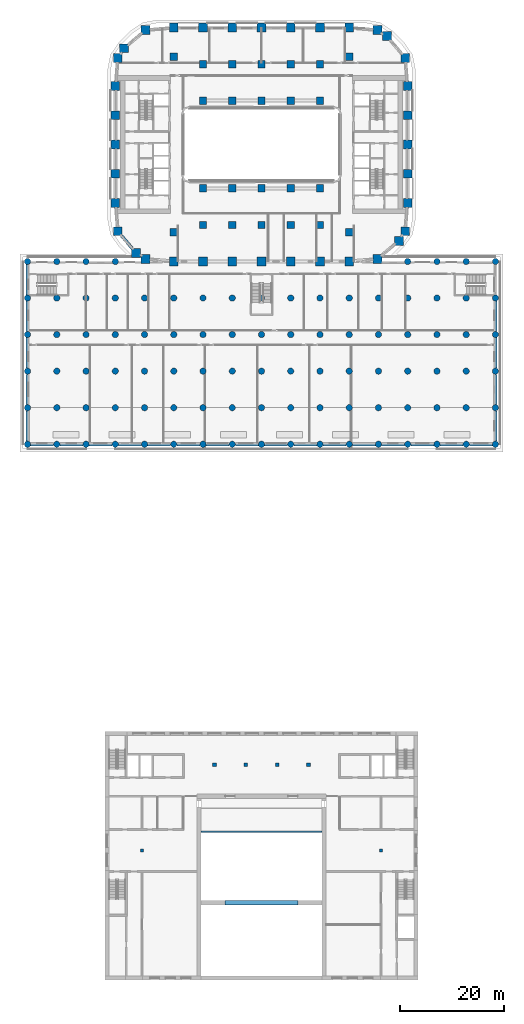
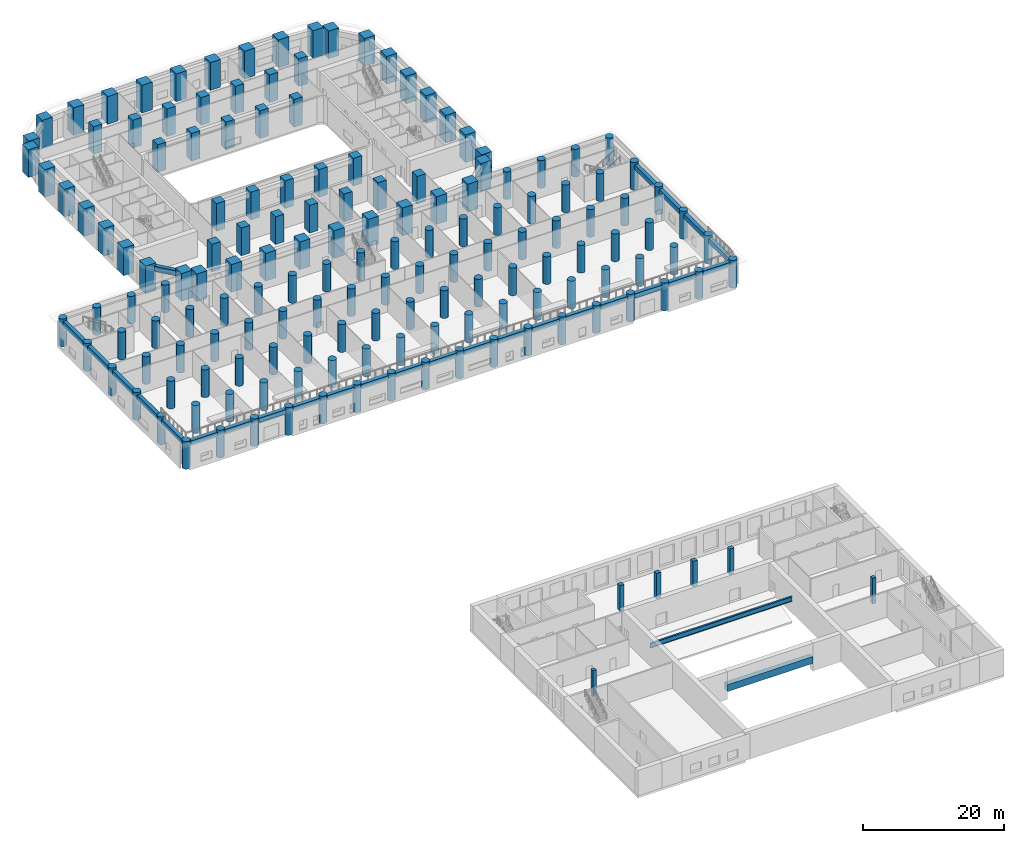
# One storey, part 1 of 27: 159 columns, 28 beams.
"""IFC4 building model written with IfcOpenShell, lengths in metres."""

from ifc_helpers import new_model, si_unit, direction, frame, origin, origin_2d, place, context, subcontext, project, spatial, rectangle, circle, i_section, extrude, material, material_profile, profile_set, type_object, element, save


model = new_model("IFC4")

# Units and contexts
model_context = context("Model", 3, precision=1e-05, world=origin(), true_north=direction((0.0, 1.0)))
body_context = subcontext(model_context, "Body", "Model", "MODEL_VIEW")
ifc_project = project(units=[si_unit("LENGTHUNIT", "METRE"), si_unit("AREAUNIT", "SQUARE_METRE"), si_unit("VOLUMEUNIT", "CUBIC_METRE"), si_unit("PLANEANGLEUNIT", "RADIAN"), si_unit("MASSUNIT", "GRAM", prefix="KILO")], contexts=[model_context])

# Site, building, storey
site_placement = place(None, origin())
site = spatial("IfcSite", under=ifc_project, at=site_placement, CompositionType="ELEMENT")
building_placement = place(site_placement, origin())
building = spatial("IfcBuilding", under=site, at=building_placement, Name="Kiln Ring Residences", CompositionType="ELEMENT")
storey_placement = place(building_placement, frame((0.0, 0.0, 6.5)))
storey = spatial("IfcBuildingStorey", under=building, at=storey_placement, Name="L01", CompositionType="ELEMENT", Elevation=6.5)

# Columns
ifc_material_1 = material(Name="Concrete C80/95", Category="concrete")
ifc_material_profile_1 = material_profile(ifc_material_1, rectangle(XDim=1.39990234375, YDim=1.39990234375, at=origin_2d()), Name="RC1400x1400")
ifc_profile_set_1 = profile_set([ifc_material_profile_1], Name="Concrete C80/95")
column_type_1 = type_object("IfcColumnType", Name="Corridor column RC1400x1400 C80/95", PredefinedType="COLUMN", material=ifc_profile_set_1)
for number, where, z_axis, x_axis, name in (
    (1, (-11.199951171875, 15.39990234375, 0.0), (0.0, 0.0, 1.0), (1.0, 0.0, 0.0), "Corridor column L01 1"),
    (2, (-5.60009765625, 15.39990234375, 0.0), (0.0, 0.0, 1.0), (1.0, 0.0, 0.0), "Corridor column L01 2"),
    (3, (0.0, 15.39990234375, 0.0), (0.0, 0.0, 1.0), (1.0, 0.0, 0.0), "Corridor column L01 3"),
    (4, (5.60009765625, 15.39990234375, 0.0), (0.0, 0.0, 1.0), (1.0, 0.0, 0.0), "Corridor column L01 4"),
    (5, (11.199951171875, 15.39990234375, 0.0), (0.0, 0.0, 1.0), (1.0, 0.0, 0.0), "Corridor column L01 5"),
    (6, (-11.199951171875, -15.39990234375, 0.0), (0.0, 0.0, 1.0), (1.0, 0.0, 0.0), "Corridor column L01 6"),
    (7, (-5.60009765625, -15.39990234375, 0.0), (0.0, 0.0, 1.0), (1.0, 0.0, 0.0), "Corridor column L01 7"),
    (8, (0.0, -15.39990234375, 0.0), (0.0, 0.0, 1.0), (1.0, 0.0, 0.0), "Corridor column L01 8"),
    (9, (5.60009765625, -15.39990234375, 0.0), (0.0, 0.0, 1.0), (1.0, 0.0, 0.0), "Corridor column L01 9"),
    (10, (11.199951171875, -15.39990234375, 0.0), (0.0, 0.0, 1.0), (1.0, 0.0, 0.0), "Corridor column L01 10"),
):
    element("IfcColumn", number, at=place(storey_placement, frame(where, z_axis=z_axis, x_axis=x_axis)), inside=storey, type_object=column_type_1, Name=name, PredefinedType="COLUMN", context=body_context, shape_type="SweptSolid", body=[
        extrude(rectangle(XDim=1.39990234375, YDim=1.39990234375, at=origin_2d()), origin(), (0.0, 0.0, 1.0), 4.800048828125),
    ])
ifc_material_2 = material(Name="Concrete C40/50", Category="concrete")
ifc_material_profile_2 = material_profile(ifc_material_2, rectangle(XDim=0.60009765625, YDim=0.60009765625, at=origin_2d()), Name="Hall reinforced concrete column 600 x 600")
ifc_profile_set_2 = profile_set([ifc_material_profile_2], Name="Concrete C40/50")
column_type_2 = type_object("IfcColumnType", Name="Hall reinforced concrete column 600 x 600", PredefinedType="COLUMN", material=ifc_profile_set_2)
for number, where, z_axis, x_axis, name in (
    (11, (-22.89990234375, -135.199951171875, 0.0), (0.0, 0.0, 1.0), (1.0, 0.0, 0.0), "Hall column L01 5"),
    (12, (22.89990234375, -135.199951171875, 0.0), (0.0, 0.0, 1.0), (1.0, 0.0, 0.0), "Hall column L01 6"),
):
    element("IfcColumn", number, at=place(storey_placement, frame(where, z_axis=z_axis, x_axis=x_axis)), inside=storey, type_object=column_type_2, Name=name, PredefinedType="COLUMN", context=body_context, shape_type="SweptSolid", body=[
        extrude(rectangle(XDim=0.60009765625, YDim=0.60009765625, at=origin_2d()), origin(), (0.0, 0.0, 1.0), 4.449951171875),
    ])
ifc_material_3 = material(Name="Concrete C40/50", Category="concrete")
ifc_material_profile_3 = material_profile(ifc_material_3, rectangle(XDim=0.699951171875, YDim=0.699951171875, at=origin_2d()), Name="Hall reinforced concrete column 700 x 700")
ifc_profile_set_3 = profile_set([ifc_material_profile_3], Name="Concrete C40/50")
column_type_3 = type_object("IfcColumnType", Name="Hall reinforced concrete column 700 x 700", PredefinedType="COLUMN", material=ifc_profile_set_3)
for number, where, z_axis, x_axis, name in (
    (13, (-9.0, -118.800048828125, 0.0), (0.0, 0.0, 1.0), (1.0, 0.0, 0.0), "Hall column L01 1"),
    (14, (-3.0, -118.800048828125, 0.0), (0.0, 0.0, 1.0), (1.0, 0.0, 0.0), "Hall column L01 2"),
    (15, (3.0, -118.800048828125, 0.0), (0.0, 0.0, 1.0), (1.0, 0.0, 0.0), "Hall column L01 3"),
    (16, (9.0, -118.800048828125, 0.0), (0.0, 0.0, 1.0), (1.0, 0.0, 0.0), "Hall column L01 4"),
):
    element("IfcColumn", number, at=place(storey_placement, frame(where, z_axis=z_axis, x_axis=x_axis)), inside=storey, type_object=column_type_3, Name=name, PredefinedType="COLUMN", context=body_context, shape_type="SweptSolid", body=[
        extrude(rectangle(XDim=0.699951171875, YDim=0.699951171875, at=origin_2d()), origin(), (0.0, 0.0, 1.0), 4.449951171875),
    ])
ifc_material_4 = material(Name="Concrete C80/95", Category="concrete")
ifc_material_profile_4 = material_profile(ifc_material_4, rectangle(XDim=1.699951171875, YDim=1.699951171875, at=origin_2d()), Name="RC1700x1700")
ifc_profile_set_4 = profile_set([ifc_material_profile_4], Name="Concrete C80/95")
column_type_4 = type_object("IfcColumnType", Name="Perimeter column RC1700x1700 C80/95", PredefinedType="COLUMN", material=ifc_profile_set_4)
for number, where, z_axis, x_axis, name in (
    (17, (-22.208740234375, -21.93798828125, 0.0), (0.0, 0.0, 1.0), (1.0, 0.0, 0.0), "Perimeter column L01 1"),
    (18, (-16.800048828125, -22.39990234375, 0.0), (0.0, 0.0, 1.0), (1.0, 0.0, 0.0), "Perimeter column L01 2"),
    (19, (-11.199951171875, -22.39990234375, 0.0), (0.0, 0.0, 1.0), (1.0, 0.0, 0.0), "Perimeter column L01 3"),
    (20, (-5.60009765625, -22.39990234375, 0.0), (0.0, 0.0, 1.0), (1.0, 0.0, 0.0), "Perimeter column L01 4"),
    (21, (0.0, -22.39990234375, 0.0), (0.0, 0.0, 1.0), (1.0, 0.0, 0.0), "Perimeter column L01 5"),
    (22, (5.60009765625, -22.39990234375, 0.0), (0.0, 0.0, 1.0), (1.0, 0.0, 0.0), "Perimeter column L01 6"),
    (23, (11.199951171875, -22.39990234375, 0.0), (0.0, 0.0, 1.0), (1.0, 0.0, 0.0), "Perimeter column L01 7"),
    (24, (16.800048828125, -22.39990234375, 0.0), (0.0, 0.0, 1.0), (1.0, 0.0, 0.0), "Perimeter column L01 8"),
    (25, (22.208740234375, -21.93798828125, 0.0), (0.0, 0.0, 1.0), (1.0, 0.0, 0.0), "Perimeter column L01 9"),
    (26, (26.35986328125, -18.440185546875, 0.0), (0.0, 0.0, 1.0), (1.0, 0.0, 0.0), "Perimeter column L01 10"),
    (27, (27.5380859375, -16.608642578125, 0.0), (0.0, 0.0, 1.0), (1.0, 0.0, 0.0), "Perimeter column L01 11"),
    (28, (28.0, -11.199951171875, 0.0), (0.0, 0.0, 1.0), (1.0, 0.0, 0.0), "Perimeter column L01 12"),
    (29, (28.0, -5.60009765625, 0.0), (0.0, 0.0, 1.0), (1.0, 0.0, 0.0), "Perimeter column L01 13"),
    (30, (28.0, 0.0, 0.0), (0.0, 0.0, 1.0), (1.0, 0.0, 0.0), "Perimeter column L01 14"),
    (31, (28.0, 5.60009765625, 0.0), (0.0, 0.0, 1.0), (1.0, 0.0, 0.0), "Perimeter column L01 15"),
    (32, (28.0, 11.199951171875, 0.0), (0.0, 0.0, 1.0), (1.0, 0.0, 0.0), "Perimeter column L01 16"),
    (33, (27.5380859375, 16.608642578125, 0.0), (0.0, 0.0, 1.0), (1.0, 0.0, 0.0), "Perimeter column L01 17"),
    (34, (24.040283203125, 20.759765625, 0.0), (0.0, 0.0, 1.0), (1.0, 0.0, 0.0), "Perimeter column L01 18"),
    (35, (22.208740234375, 21.93798828125, 0.0), (0.0, 0.0, 1.0), (1.0, 0.0, 0.0), "Perimeter column L01 19"),
    (36, (16.800048828125, 22.39990234375, 0.0), (0.0, 0.0, 1.0), (1.0, 0.0, 0.0), "Perimeter column L01 20"),
    (37, (11.199951171875, 22.39990234375, 0.0), (0.0, 0.0, 1.0), (1.0, 0.0, 0.0), "Perimeter column L01 21"),
    (38, (5.60009765625, 22.39990234375, 0.0), (0.0, 0.0, 1.0), (1.0, 0.0, 0.0), "Perimeter column L01 22"),
    (39, (0.0, 22.39990234375, 0.0), (0.0, 0.0, 1.0), (1.0, 0.0, 0.0), "Perimeter column L01 23"),
    (40, (-5.60009765625, 22.39990234375, 0.0), (0.0, 0.0, 1.0), (1.0, 0.0, 0.0), "Perimeter column L01 24"),
    (41, (-11.199951171875, 22.39990234375, 0.0), (0.0, 0.0, 1.0), (1.0, 0.0, 0.0), "Perimeter column L01 25"),
    (42, (-16.800048828125, 22.39990234375, 0.0), (0.0, 0.0, 1.0), (1.0, 0.0, 0.0), "Perimeter column L01 26"),
    (43, (-22.208740234375, 21.93798828125, 0.0), (0.0, 0.0, 1.0), (1.0, 0.0, 0.0), "Perimeter column L01 27"),
    (44, (-26.35986328125, 18.440185546875, 0.0), (0.0, 0.0, 1.0), (1.0, 0.0, 0.0), "Perimeter column L01 28"),
    (45, (-27.5380859375, 16.608642578125, 0.0), (0.0, 0.0, 1.0), (1.0, 0.0, 0.0), "Perimeter column L01 29"),
    (46, (-28.0, 11.199951171875, 0.0), (0.0, 0.0, 1.0), (1.0, 0.0, 0.0), "Perimeter column L01 30"),
    (47, (-28.0, 5.60009765625, 0.0), (0.0, 0.0, 1.0), (1.0, 0.0, 0.0), "Perimeter column L01 31"),
    (48, (-28.0, 0.0, 0.0), (0.0, 0.0, 1.0), (1.0, 0.0, 0.0), "Perimeter column L01 32"),
    (49, (-28.0, -5.60009765625, 0.0), (0.0, 0.0, 1.0), (1.0, 0.0, 0.0), "Perimeter column L01 33"),
    (50, (-28.0, -11.199951171875, 0.0), (0.0, 0.0, 1.0), (1.0, 0.0, 0.0), "Perimeter column L01 34"),
    (51, (-27.5380859375, -16.608642578125, 0.0), (0.0, 0.0, 1.0), (1.0, 0.0, 0.0), "Perimeter column L01 35"),
    (52, (-24.040283203125, -20.759765625, 0.0), (0.0, 0.0, 1.0), (1.0, 0.0, 0.0), "Perimeter column L01 36"),
):
    element("IfcColumn", number, at=place(storey_placement, frame(where, z_axis=z_axis, x_axis=x_axis)), inside=storey, type_object=column_type_4, Name=name, PredefinedType="COLUMN", context=body_context, shape_type="SweptSolid", body=[
        extrude(rectangle(XDim=1.699951171875, YDim=1.699951171875, at=origin_2d()), origin(), (0.0, 0.0, 1.0), 4.800048828125),
    ])
ifc_material_5 = material(Name="Concrete C80/95", Category="concrete")
ifc_material_profile_5 = material_profile(ifc_material_5, circle(Radius=0.60009765625, at=origin_2d()), Name="RCD1200")
ifc_profile_set_5 = profile_set([ifc_material_profile_5], Name="Concrete C80/95")
column_type_5 = type_object("IfcColumnType", Name="Podium column RCD1200 C80/95", PredefinedType="COLUMN", material=ifc_profile_set_5)
for number, where, z_axis, x_axis, name in (
    (53, (-44.800048828125, -29.39990234375, 0.0), (0.0, 0.0, 1.0), (1.0, 0.0, 0.0), "Podium column L01 1"),
    (54, (-39.199951171875, -29.39990234375, 0.0), (0.0, 0.0, 1.0), (1.0, 0.0, 0.0), "Podium column L01 2"),
    (55, (-33.60009765625, -29.39990234375, 0.0), (0.0, 0.0, 1.0), (1.0, 0.0, 0.0), "Podium column L01 3"),
    (56, (-28.0, -29.39990234375, 0.0), (0.0, 0.0, 1.0), (1.0, 0.0, 0.0), "Podium column L01 4"),
    (57, (-22.39990234375, -29.39990234375, 0.0), (0.0, 0.0, 1.0), (1.0, 0.0, 0.0), "Podium column L01 5"),
    (58, (-16.800048828125, -29.39990234375, 0.0), (0.0, 0.0, 1.0), (1.0, 0.0, 0.0), "Podium column L01 6"),
    (59, (-11.199951171875, -29.39990234375, 0.0), (0.0, 0.0, 1.0), (1.0, 0.0, 0.0), "Podium column L01 7"),
    (60, (-5.60009765625, -29.39990234375, 0.0), (0.0, 0.0, 1.0), (1.0, 0.0, 0.0), "Podium column L01 8"),
    (61, (0.0, -29.39990234375, 0.0), (0.0, 0.0, 1.0), (1.0, 0.0, 0.0), "Podium column L01 9"),
    (62, (5.60009765625, -29.39990234375, 0.0), (0.0, 0.0, 1.0), (1.0, 0.0, 0.0), "Podium column L01 10"),
    (63, (11.199951171875, -29.39990234375, 0.0), (0.0, 0.0, 1.0), (1.0, 0.0, 0.0), "Podium column L01 11"),
    (64, (16.800048828125, -29.39990234375, 0.0), (0.0, 0.0, 1.0), (1.0, 0.0, 0.0), "Podium column L01 12"),
    (65, (22.39990234375, -29.39990234375, 0.0), (0.0, 0.0, 1.0), (1.0, 0.0, 0.0), "Podium column L01 13"),
    (66, (28.0, -29.39990234375, 0.0), (0.0, 0.0, 1.0), (1.0, 0.0, 0.0), "Podium column L01 14"),
    (67, (33.60009765625, -29.39990234375, 0.0), (0.0, 0.0, 1.0), (1.0, 0.0, 0.0), "Podium column L01 15"),
    (68, (39.199951171875, -29.39990234375, 0.0), (0.0, 0.0, 1.0), (1.0, 0.0, 0.0), "Podium column L01 16"),
    (69, (44.800048828125, -29.39990234375, 0.0), (0.0, 0.0, 1.0), (1.0, 0.0, 0.0), "Podium column L01 17"),
    (70, (-44.800048828125, -36.39990234375, 0.0), (0.0, 0.0, 1.0), (1.0, 0.0, 0.0), "Podium column L01 18"),
    (71, (-39.199951171875, -36.39990234375, 0.0), (0.0, 0.0, 1.0), (1.0, 0.0, 0.0), "Podium column L01 19"),
    (72, (-33.60009765625, -36.39990234375, 0.0), (0.0, 0.0, 1.0), (1.0, 0.0, 0.0), "Podium column L01 20"),
    (73, (-28.0, -36.39990234375, 0.0), (0.0, 0.0, 1.0), (1.0, 0.0, 0.0), "Podium column L01 21"),
    (74, (-22.39990234375, -36.39990234375, 0.0), (0.0, 0.0, 1.0), (1.0, 0.0, 0.0), "Podium column L01 22"),
    (75, (-16.800048828125, -36.39990234375, 0.0), (0.0, 0.0, 1.0), (1.0, 0.0, 0.0), "Podium column L01 23"),
    (76, (-11.199951171875, -36.39990234375, 0.0), (0.0, 0.0, 1.0), (1.0, 0.0, 0.0), "Podium column L01 24"),
    (77, (-5.60009765625, -36.39990234375, 0.0), (0.0, 0.0, 1.0), (1.0, 0.0, 0.0), "Podium column L01 25"),
    (78, (0.0, -36.39990234375, 0.0), (0.0, 0.0, 1.0), (1.0, 0.0, 0.0), "Podium column L01 26"),
    (79, (5.60009765625, -36.39990234375, 0.0), (0.0, 0.0, 1.0), (1.0, 0.0, 0.0), "Podium column L01 27"),
    (80, (11.199951171875, -36.39990234375, 0.0), (0.0, 0.0, 1.0), (1.0, 0.0, 0.0), "Podium column L01 28"),
    (81, (16.800048828125, -36.39990234375, 0.0), (0.0, 0.0, 1.0), (1.0, 0.0, 0.0), "Podium column L01 29"),
    (82, (22.39990234375, -36.39990234375, 0.0), (0.0, 0.0, 1.0), (1.0, 0.0, 0.0), "Podium column L01 30"),
    (83, (28.0, -36.39990234375, 0.0), (0.0, 0.0, 1.0), (1.0, 0.0, 0.0), "Podium column L01 31"),
    (84, (33.60009765625, -36.39990234375, 0.0), (0.0, 0.0, 1.0), (1.0, 0.0, 0.0), "Podium column L01 32"),
    (85, (39.199951171875, -36.39990234375, 0.0), (0.0, 0.0, 1.0), (1.0, 0.0, 0.0), "Podium column L01 33"),
    (86, (44.800048828125, -36.39990234375, 0.0), (0.0, 0.0, 1.0), (1.0, 0.0, 0.0), "Podium column L01 34"),
    (87, (-44.800048828125, -43.39990234375, 0.0), (0.0, 0.0, 1.0), (1.0, 0.0, 0.0), "Podium column L01 35"),
    (88, (-39.199951171875, -43.39990234375, 0.0), (0.0, 0.0, 1.0), (1.0, 0.0, 0.0), "Podium column L01 36"),
    (89, (-33.60009765625, -43.39990234375, 0.0), (0.0, 0.0, 1.0), (1.0, 0.0, 0.0), "Podium column L01 37"),
    (90, (-28.0, -43.39990234375, 0.0), (0.0, 0.0, 1.0), (1.0, 0.0, 0.0), "Podium column L01 38"),
    (91, (-22.39990234375, -43.39990234375, 0.0), (0.0, 0.0, 1.0), (1.0, 0.0, 0.0), "Podium column L01 39"),
    (92, (-16.800048828125, -43.39990234375, 0.0), (0.0, 0.0, 1.0), (1.0, 0.0, 0.0), "Podium column L01 40"),
    (93, (-11.199951171875, -43.39990234375, 0.0), (0.0, 0.0, 1.0), (1.0, 0.0, 0.0), "Podium column L01 41"),
    (94, (-5.60009765625, -43.39990234375, 0.0), (0.0, 0.0, 1.0), (1.0, 0.0, 0.0), "Podium column L01 42"),
    (95, (0.0, -43.39990234375, 0.0), (0.0, 0.0, 1.0), (1.0, 0.0, 0.0), "Podium column L01 43"),
    (96, (5.60009765625, -43.39990234375, 0.0), (0.0, 0.0, 1.0), (1.0, 0.0, 0.0), "Podium column L01 44"),
    (97, (11.199951171875, -43.39990234375, 0.0), (0.0, 0.0, 1.0), (1.0, 0.0, 0.0), "Podium column L01 45"),
    (98, (16.800048828125, -43.39990234375, 0.0), (0.0, 0.0, 1.0), (1.0, 0.0, 0.0), "Podium column L01 46"),
    (99, (22.39990234375, -43.39990234375, 0.0), (0.0, 0.0, 1.0), (1.0, 0.0, 0.0), "Podium column L01 47"),
    (100, (28.0, -43.39990234375, 0.0), (0.0, 0.0, 1.0), (1.0, 0.0, 0.0), "Podium column L01 48"),
    (101, (33.60009765625, -43.39990234375, 0.0), (0.0, 0.0, 1.0), (1.0, 0.0, 0.0), "Podium column L01 49"),
    (102, (39.199951171875, -43.39990234375, 0.0), (0.0, 0.0, 1.0), (1.0, 0.0, 0.0), "Podium column L01 50"),
    (103, (44.800048828125, -43.39990234375, 0.0), (0.0, 0.0, 1.0), (1.0, 0.0, 0.0), "Podium column L01 51"),
    (104, (-44.800048828125, -50.39990234375, 0.0), (0.0, 0.0, 1.0), (1.0, 0.0, 0.0), "Podium column L01 52"),
    (105, (-39.199951171875, -50.39990234375, 0.0), (0.0, 0.0, 1.0), (1.0, 0.0, 0.0), "Podium column L01 53"),
    (106, (-33.60009765625, -50.39990234375, 0.0), (0.0, 0.0, 1.0), (1.0, 0.0, 0.0), "Podium column L01 54"),
    (107, (-28.0, -50.39990234375, 0.0), (0.0, 0.0, 1.0), (1.0, 0.0, 0.0), "Podium column L01 55"),
    (108, (-22.39990234375, -50.39990234375, 0.0), (0.0, 0.0, 1.0), (1.0, 0.0, 0.0), "Podium column L01 56"),
    (109, (-16.800048828125, -50.39990234375, 0.0), (0.0, 0.0, 1.0), (1.0, 0.0, 0.0), "Podium column L01 57"),
    (110, (-11.199951171875, -50.39990234375, 0.0), (0.0, 0.0, 1.0), (1.0, 0.0, 0.0), "Podium column L01 58"),
    (111, (-5.60009765625, -50.39990234375, 0.0), (0.0, 0.0, 1.0), (1.0, 0.0, 0.0), "Podium column L01 59"),
    (112, (0.0, -50.39990234375, 0.0), (0.0, 0.0, 1.0), (1.0, 0.0, 0.0), "Podium column L01 60"),
    (113, (5.60009765625, -50.39990234375, 0.0), (0.0, 0.0, 1.0), (1.0, 0.0, 0.0), "Podium column L01 61"),
    (114, (11.199951171875, -50.39990234375, 0.0), (0.0, 0.0, 1.0), (1.0, 0.0, 0.0), "Podium column L01 62"),
    (115, (16.800048828125, -50.39990234375, 0.0), (0.0, 0.0, 1.0), (1.0, 0.0, 0.0), "Podium column L01 63"),
    (116, (22.39990234375, -50.39990234375, 0.0), (0.0, 0.0, 1.0), (1.0, 0.0, 0.0), "Podium column L01 64"),
    (117, (28.0, -50.39990234375, 0.0), (0.0, 0.0, 1.0), (1.0, 0.0, 0.0), "Podium column L01 65"),
    (118, (33.60009765625, -50.39990234375, 0.0), (0.0, 0.0, 1.0), (1.0, 0.0, 0.0), "Podium column L01 66"),
    (119, (39.199951171875, -50.39990234375, 0.0), (0.0, 0.0, 1.0), (1.0, 0.0, 0.0), "Podium column L01 67"),
    (120, (44.800048828125, -50.39990234375, 0.0), (0.0, 0.0, 1.0), (1.0, 0.0, 0.0), "Podium column L01 68"),
    (121, (-44.800048828125, -57.39990234375, 0.0), (0.0, 0.0, 1.0), (1.0, 0.0, 0.0), "Podium column L01 69"),
    (122, (-39.199951171875, -57.39990234375, 0.0), (0.0, 0.0, 1.0), (1.0, 0.0, 0.0), "Podium column L01 70"),
    (123, (-33.60009765625, -57.39990234375, 0.0), (0.0, 0.0, 1.0), (1.0, 0.0, 0.0), "Podium column L01 71"),
    (124, (-28.0, -57.39990234375, 0.0), (0.0, 0.0, 1.0), (1.0, 0.0, 0.0), "Podium column L01 72"),
    (125, (-22.39990234375, -57.39990234375, 0.0), (0.0, 0.0, 1.0), (1.0, 0.0, 0.0), "Podium column L01 73"),
    (126, (-16.800048828125, -57.39990234375, 0.0), (0.0, 0.0, 1.0), (1.0, 0.0, 0.0), "Podium column L01 74"),
    (127, (-11.199951171875, -57.39990234375, 0.0), (0.0, 0.0, 1.0), (1.0, 0.0, 0.0), "Podium column L01 75"),
    (128, (-5.60009765625, -57.39990234375, 0.0), (0.0, 0.0, 1.0), (1.0, 0.0, 0.0), "Podium column L01 76"),
    (129, (0.0, -57.39990234375, 0.0), (0.0, 0.0, 1.0), (1.0, 0.0, 0.0), "Podium column L01 77"),
    (130, (5.60009765625, -57.39990234375, 0.0), (0.0, 0.0, 1.0), (1.0, 0.0, 0.0), "Podium column L01 78"),
    (131, (11.199951171875, -57.39990234375, 0.0), (0.0, 0.0, 1.0), (1.0, 0.0, 0.0), "Podium column L01 79"),
    (132, (16.800048828125, -57.39990234375, 0.0), (0.0, 0.0, 1.0), (1.0, 0.0, 0.0), "Podium column L01 80"),
    (133, (22.39990234375, -57.39990234375, 0.0), (0.0, 0.0, 1.0), (1.0, 0.0, 0.0), "Podium column L01 81"),
    (134, (28.0, -57.39990234375, 0.0), (0.0, 0.0, 1.0), (1.0, 0.0, 0.0), "Podium column L01 82"),
    (135, (33.60009765625, -57.39990234375, 0.0), (0.0, 0.0, 1.0), (1.0, 0.0, 0.0), "Podium column L01 83"),
    (136, (39.199951171875, -57.39990234375, 0.0), (0.0, 0.0, 1.0), (1.0, 0.0, 0.0), "Podium column L01 84"),
    (137, (44.800048828125, -57.39990234375, 0.0), (0.0, 0.0, 1.0), (1.0, 0.0, 0.0), "Podium column L01 85"),
    (138, (-44.800048828125, -22.39990234375, 0.0), (0.0, 0.0, 1.0), (1.0, 0.0, 0.0), "Podium column L01 86"),
    (139, (-39.199951171875, -22.39990234375, 0.0), (0.0, 0.0, 1.0), (1.0, 0.0, 0.0), "Podium column L01 87"),
    (140, (-33.60009765625, -22.39990234375, 0.0), (0.0, 0.0, 1.0), (1.0, 0.0, 0.0), "Podium column L01 88"),
    (141, (-28.0, -22.39990234375, 0.0), (0.0, 0.0, 1.0), (1.0, 0.0, 0.0), "Podium column L01 89"),
    (142, (28.0, -22.39990234375, 0.0), (0.0, 0.0, 1.0), (1.0, 0.0, 0.0), "Podium column L01 90"),
    (143, (33.60009765625, -22.39990234375, 0.0), (0.0, 0.0, 1.0), (1.0, 0.0, 0.0), "Podium column L01 91"),
    (144, (39.199951171875, -22.39990234375, 0.0), (0.0, 0.0, 1.0), (1.0, 0.0, 0.0), "Podium column L01 92"),
    (145, (44.800048828125, -22.39990234375, 0.0), (0.0, 0.0, 1.0), (1.0, 0.0, 0.0), "Podium column L01 93"),
):
    element("IfcColumn", number, at=place(storey_placement, frame(where, z_axis=z_axis, x_axis=x_axis)), inside=storey, type_object=column_type_5, Name=name, PredefinedType="COLUMN", context=body_context, shape_type="SweptSolid", body=[
        extrude(circle(Radius=0.60009765625, at=origin_2d()), origin(), (0.0, 0.0, 1.0), 4.800048828125),
    ])
ifc_material_6 = material(Name="Concrete C80/95", Category="concrete")
ifc_material_profile_6 = material_profile(ifc_material_6, rectangle(XDim=1.39990234375, YDim=1.39990234375, at=origin_2d()), Name="RC1400x1400")
ifc_profile_set_6 = profile_set([ifc_material_profile_6], Name="Concrete C80/95")
column_type_6 = type_object("IfcColumnType", Name="Ring column RC1400x1400 C80/95", PredefinedType="COLUMN", material=ifc_profile_set_6)
for number, where, z_axis, x_axis, name in (
    (146, (-16.800048828125, -16.800048828125, 0.0), (0.0, 0.0, 1.0), (1.0, 0.0, 0.0), "Ring column L01 1"),
    (147, (-16.800048828125, 16.800048828125, 0.0), (0.0, 0.0, 1.0), (1.0, 0.0, 0.0), "Ring column L01 2"),
    (148, (-11.199951171875, -8.39990234375, 0.0), (0.0, 0.0, 1.0), (1.0, 0.0, 0.0), "Ring column L01 3"),
    (149, (-11.199951171875, 8.39990234375, 0.0), (0.0, 0.0, 1.0), (1.0, 0.0, 0.0), "Ring column L01 4"),
    (150, (-5.60009765625, -8.39990234375, 0.0), (0.0, 0.0, 1.0), (1.0, 0.0, 0.0), "Ring column L01 5"),
    (151, (-5.60009765625, 8.39990234375, 0.0), (0.0, 0.0, 1.0), (1.0, 0.0, 0.0), "Ring column L01 6"),
    (152, (0.0, -8.39990234375, 0.0), (0.0, 0.0, 1.0), (1.0, 0.0, 0.0), "Ring column L01 7"),
    (153, (0.0, 8.39990234375, 0.0), (0.0, 0.0, 1.0), (1.0, 0.0, 0.0), "Ring column L01 8"),
    (154, (5.60009765625, -8.39990234375, 0.0), (0.0, 0.0, 1.0), (1.0, 0.0, 0.0), "Ring column L01 9"),
    (155, (5.60009765625, 8.39990234375, 0.0), (0.0, 0.0, 1.0), (1.0, 0.0, 0.0), "Ring column L01 10"),
    (156, (11.199951171875, -8.39990234375, 0.0), (0.0, 0.0, 1.0), (1.0, 0.0, 0.0), "Ring column L01 11"),
    (157, (11.199951171875, 8.39990234375, 0.0), (0.0, 0.0, 1.0), (1.0, 0.0, 0.0), "Ring column L01 12"),
    (158, (16.800048828125, -16.800048828125, 0.0), (0.0, 0.0, 1.0), (1.0, 0.0, 0.0), "Ring column L01 13"),
    (159, (16.800048828125, 16.800048828125, 0.0), (0.0, 0.0, 1.0), (1.0, 0.0, 0.0), "Ring column L01 14"),
):
    element("IfcColumn", number, at=place(storey_placement, frame(where, z_axis=z_axis, x_axis=x_axis)), inside=storey, type_object=column_type_6, Name=name, PredefinedType="COLUMN", context=body_context, shape_type="SweptSolid", body=[
        extrude(rectangle(XDim=1.39990234375, YDim=1.39990234375, at=origin_2d()), origin(), (0.0, 0.0, 1.0), 4.800048828125),
    ])

# Beams
ifc_material_7 = material(Name="Structural steel ASTM A992", Category="steel")
ifc_material_profile_7 = material_profile(ifc_material_7, i_section(OverallWidth=0.2919921875, OverallDepth=0.8349609375, WebThickness=0.013916015625, FlangeThickness=0.018798828125, at=origin_2d()), Name="W840x176")
ifc_profile_set_7 = profile_set([ifc_material_profile_7], Name="Structural steel ASTM A992")
beam_type_1 = type_object("IfcBeamType", Name="Hall circle front girder W840x176", PredefinedType="BEAM", material=ifc_profile_set_7)
beam_1_placement = place(storey_placement, frame((-11.60009765625, -131.654052734375, 2.482421875), z_axis=(1.0, 0.0, 0.0), x_axis=(0.0, 1.0, 0.0)))
element("IfcBeam", 160, at=beam_1_placement, inside=storey, type_object=beam_type_1, Name="Hall circle girder L02", PredefinedType="BEAM", context=body_context, shape_type="SweptSolid", body=[
    extrude(i_section(OverallWidth=0.2919921875, OverallDepth=0.8349609375, WebThickness=0.013916015625, FlangeThickness=0.018798828125, at=origin_2d()), origin(), (0.0, 0.0, 1.0), 23.2001953125),
])
ifc_material_8 = material(Name="Concrete C40/50", Category="concrete")
ifc_material_profile_8 = material_profile(ifc_material_8, rectangle(XDim=0.800048828125, YDim=1.199951171875, at=origin_2d()), Name="Hall proscenium lintel 800 x 1200")
ifc_profile_set_8 = profile_set([ifc_material_profile_8], Name="Concrete C40/50")
beam_type_2 = type_object("IfcBeamType", Name="Hall proscenium lintel 800 x 1200", PredefinedType="BEAM", material=ifc_profile_set_8)
beam_2_placement = place(storey_placement, frame((-7.0, -145.199951171875, 1.89990234375), z_axis=(1.0, 0.0, 0.0), x_axis=(0.0, 1.0, 0.0)))
element("IfcBeam", 161, at=beam_2_placement, inside=storey, type_object=beam_type_2, Name="Hall proscenium lintel", PredefinedType="BEAM", context=body_context, shape_type="SweptSolid", body=[
    extrude(rectangle(XDim=0.800048828125, YDim=1.199951171875, at=origin_2d()), origin(), (0.0, 0.0, 1.0), 14.0),
])
ifc_material_9 = material(Name="Concrete C50/60", Category="concrete")
ifc_material_profile_9 = material_profile(ifc_material_9, rectangle(XDim=0.60009765625, YDim=0.800048828125, at=origin_2d()), Name="RC600x800")
ifc_profile_set_9 = profile_set([ifc_material_profile_9], Name="Concrete C50/60")
beam_type_3 = type_object("IfcBeamType", Name="Ring beam RC600x800 C50/60", PredefinedType="BEAM", material=ifc_profile_set_9)
beam_3_placement = place(storey_placement, frame((-44.199951171875, -57.39990234375, 4.050048828125), z_axis=(1.0, 0.0, 0.0), x_axis=(0.0, 1.0, 0.0)))
element("IfcBeam", 162, at=beam_3_placement, inside=storey, type_object=beam_type_3, Name="Ring beam L01 1", PredefinedType="BEAM", context=body_context, shape_type="SweptSolid", body=[
    extrude(rectangle(XDim=0.60009765625, YDim=0.800048828125, at=origin_2d()), origin(), (0.0, 0.0, 1.0), 4.39990234375),
])
beam_4_placement = place(storey_placement, frame((-38.60009765625, -57.39990234375, 4.050048828125), z_axis=(1.0, 0.0, 0.0), x_axis=(0.0, 1.0, 0.0)))
element("IfcBeam", 163, at=beam_4_placement, inside=storey, type_object=beam_type_3, Name="Ring beam L01 2", PredefinedType="BEAM", context=body_context, shape_type="SweptSolid", body=[
    extrude(rectangle(XDim=0.60009765625, YDim=0.800048828125, at=origin_2d()), origin(), (0.0, 0.0, 1.0), 4.400146484375),
])
for number, where, z_axis, x_axis, name in (
    (164, (-33.0, -57.39990234375, 4.050048828125), (1.0, 0.0, 0.0), (0.0, 1.0, 0.0), "Ring beam L01 3"),
    (165, (-27.39990234375, -57.39990234375, 4.050048828125), (1.0, 0.0, 0.0), (0.0, 1.0, 0.0), "Ring beam L01 4"),
):
    element("IfcBeam", number, at=place(storey_placement, frame(where, z_axis=z_axis, x_axis=x_axis)), inside=storey, type_object=beam_type_3, Name=name, PredefinedType="BEAM", context=body_context, shape_type="SweptSolid", body=[
        extrude(rectangle(XDim=0.60009765625, YDim=0.800048828125, at=origin_2d()), origin(), (0.0, 0.0, 1.0), 4.39990234375),
    ])
beam_5_placement = place(storey_placement, frame((-21.800048828125, -57.39990234375, 4.050048828125), z_axis=(1.0, 0.0, 0.0), x_axis=(0.0, 1.0, 0.0)))
element("IfcBeam", 166, at=beam_5_placement, inside=storey, type_object=beam_type_3, Name="Ring beam L01 5", PredefinedType="BEAM", context=body_context, shape_type="SweptSolid", body=[
    extrude(rectangle(XDim=0.60009765625, YDim=0.800048828125, at=origin_2d()), origin(), (0.0, 0.0, 1.0), 4.400146484375),
])
beam_6_placement = place(storey_placement, frame((-16.199951171875, -57.39990234375, 4.050048828125), z_axis=(1.0, 0.0, 0.0), x_axis=(0.0, 1.0, 0.0)))
element("IfcBeam", 167, at=beam_6_placement, inside=storey, type_object=beam_type_3, Name="Ring beam L01 6", PredefinedType="BEAM", context=body_context, shape_type="SweptSolid", body=[
    extrude(rectangle(XDim=0.60009765625, YDim=0.800048828125, at=origin_2d()), origin(), (0.0, 0.0, 1.0), 4.39990234375),
])
beam_7_placement = place(storey_placement, frame((-10.60009765625, -57.39990234375, 4.050048828125), z_axis=(1.0, 0.0, 0.0), x_axis=(0.0, 1.0, 0.0)))
element("IfcBeam", 168, at=beam_7_placement, inside=storey, type_object=beam_type_3, Name="Ring beam L01 7", PredefinedType="BEAM", context=body_context, shape_type="SweptSolid", body=[
    extrude(rectangle(XDim=0.60009765625, YDim=0.800048828125, at=origin_2d()), origin(), (0.0, 0.0, 1.0), 4.400146484375),
])
for number, where, z_axis, x_axis, name in (
    (169, (-5.0, -57.39990234375, 4.050048828125), (1.0, 0.0, 0.0), (0.0, 1.0, 0.0), "Ring beam L01 8"),
    (170, (0.60009765625, -57.39990234375, 4.050048828125), (1.0, 0.0, 0.0), (0.0, 1.0, 0.0), "Ring beam L01 9"),
):
    element("IfcBeam", number, at=place(storey_placement, frame(where, z_axis=z_axis, x_axis=x_axis)), inside=storey, type_object=beam_type_3, Name=name, PredefinedType="BEAM", context=body_context, shape_type="SweptSolid", body=[
        extrude(rectangle(XDim=0.60009765625, YDim=0.800048828125, at=origin_2d()), origin(), (0.0, 0.0, 1.0), 4.39990234375),
    ])
beam_8_placement = place(storey_placement, frame((6.199951171875, -57.39990234375, 4.050048828125), z_axis=(1.0, 0.0, 0.0), x_axis=(0.0, 1.0, 0.0)))
element("IfcBeam", 171, at=beam_8_placement, inside=storey, type_object=beam_type_3, Name="Ring beam L01 10", PredefinedType="BEAM", context=body_context, shape_type="SweptSolid", body=[
    extrude(rectangle(XDim=0.60009765625, YDim=0.800048828125, at=origin_2d()), origin(), (0.0, 0.0, 1.0), 4.400146484375),
])
beam_9_placement = place(storey_placement, frame((11.800048828125, -57.39990234375, 4.050048828125), z_axis=(1.0, 0.0, 0.0), x_axis=(0.0, 1.0, 0.0)))
element("IfcBeam", 172, at=beam_9_placement, inside=storey, type_object=beam_type_3, Name="Ring beam L01 11", PredefinedType="BEAM", context=body_context, shape_type="SweptSolid", body=[
    extrude(rectangle(XDim=0.60009765625, YDim=0.800048828125, at=origin_2d()), origin(), (0.0, 0.0, 1.0), 4.39990234375),
])
beam_10_placement = place(storey_placement, frame((17.39990234375, -57.39990234375, 4.050048828125), z_axis=(1.0, 0.0, 0.0), x_axis=(0.0, 1.0, 0.0)))
element("IfcBeam", 173, at=beam_10_placement, inside=storey, type_object=beam_type_3, Name="Ring beam L01 12", PredefinedType="BEAM", context=body_context, shape_type="SweptSolid", body=[
    extrude(rectangle(XDim=0.60009765625, YDim=0.800048828125, at=origin_2d()), origin(), (0.0, 0.0, 1.0), 4.400146484375),
])
for number, where, z_axis, x_axis, name in (
    (174, (23.0, -57.39990234375, 4.050048828125), (1.0, 0.0, 0.0), (0.0, 1.0, 0.0), "Ring beam L01 13"),
    (175, (28.60009765625, -57.39990234375, 4.050048828125), (1.0, 0.0, 0.0), (0.0, 1.0, 0.0), "Ring beam L01 14"),
):
    element("IfcBeam", number, at=place(storey_placement, frame(where, z_axis=z_axis, x_axis=x_axis)), inside=storey, type_object=beam_type_3, Name=name, PredefinedType="BEAM", context=body_context, shape_type="SweptSolid", body=[
        extrude(rectangle(XDim=0.60009765625, YDim=0.800048828125, at=origin_2d()), origin(), (0.0, 0.0, 1.0), 4.39990234375),
    ])
beam_11_placement = place(storey_placement, frame((34.199951171875, -57.39990234375, 4.050048828125), z_axis=(1.0, 0.0, 0.0), x_axis=(0.0, 1.0, 0.0)))
element("IfcBeam", 176, at=beam_11_placement, inside=storey, type_object=beam_type_3, Name="Ring beam L01 15", PredefinedType="BEAM", context=body_context, shape_type="SweptSolid", body=[
    extrude(rectangle(XDim=0.60009765625, YDim=0.800048828125, at=origin_2d()), origin(), (0.0, 0.0, 1.0), 4.400146484375),
])
beam_12_placement = place(storey_placement, frame((39.800048828125, -57.39990234375, 4.050048828125), z_axis=(1.0, 0.0, 0.0), x_axis=(0.0, 1.0, 0.0)))
element("IfcBeam", 177, at=beam_12_placement, inside=storey, type_object=beam_type_3, Name="Ring beam L01 16", PredefinedType="BEAM", context=body_context, shape_type="SweptSolid", body=[
    extrude(rectangle(XDim=0.60009765625, YDim=0.800048828125, at=origin_2d()), origin(), (0.0, 0.0, 1.0), 4.39990234375),
])
for number, where, z_axis, x_axis, name in (
    (178, (-44.800048828125, -23.0, 4.050048828125), (0.0, -1.0, 0.0), (1.0, 0.0, 0.0), "Ring beam L01 17"),
    (179, (-44.800048828125, -30.0, 4.050048828125), (0.0, -1.0, 0.0), (1.0, 0.0, 0.0), "Ring beam L01 18"),
    (180, (-44.800048828125, -37.0, 4.050048828125), (0.0, -1.0, 0.0), (1.0, 0.0, 0.0), "Ring beam L01 19"),
    (181, (-44.800048828125, -44.0, 4.050048828125), (0.0, -1.0, 0.0), (1.0, 0.0, 0.0), "Ring beam L01 20"),
    (182, (-44.800048828125, -51.0, 4.050048828125), (0.0, -1.0, 0.0), (1.0, 0.0, 0.0), "Ring beam L01 21"),
    (183, (44.800048828125, -30.0, 4.050048828125), (0.0, -1.0, 0.0), (1.0, 0.0, 0.0), "Ring beam L01 23"),
    (184, (44.800048828125, -37.0, 4.050048828125), (0.0, -1.0, 0.0), (1.0, 0.0, 0.0), "Ring beam L01 24"),
    (185, (44.800048828125, -44.0, 4.050048828125), (0.0, -1.0, 0.0), (1.0, 0.0, 0.0), "Ring beam L01 25"),
    (186, (44.800048828125, -51.0, 4.050048828125), (0.0, -1.0, 0.0), (1.0, 0.0, 0.0), "Ring beam L01 26"),
):
    element("IfcBeam", number, at=place(storey_placement, frame(where, z_axis=z_axis, x_axis=x_axis)), inside=storey, type_object=beam_type_3, Name=name, PredefinedType="BEAM", context=body_context, shape_type="SweptSolid", body=[
        extrude(rectangle(XDim=0.60009765625, YDim=0.800048828125, at=origin_2d()), origin(), (0.0, 0.0, 1.0), 5.800048828125),
    ])
ifc_material_10 = material(Name="Concrete C50/60", Category="concrete")
ifc_material_profile_10 = material_profile(ifc_material_10, rectangle(XDim=0.60009765625, YDim=0.89990234375, at=origin_2d()), Name="RC600x900")
ifc_profile_set_10 = profile_set([ifc_material_profile_10], Name="Concrete C50/60")
beam_type_4 = type_object("IfcBeamType", Name="Spandrel beam RC600x900 C50/60", PredefinedType="SPANDREL", material=ifc_profile_set_10)
beam_13_placement = place(storey_placement, frame((-26.82177734375, -17.458740234375, 4.0), z_axis=(0.644370264489, -0.764713647219, 0.0), x_axis=(0.764713647219, 0.644370264489, 0.0)))
element("IfcBeam", 187, at=beam_13_placement, inside=storey, type_object=beam_type_4, Name="Spandrel beam L01 32", PredefinedType="SPANDREL", context=body_context, shape_type="SweptSolid", body=[
    extrude(rectangle(XDim=0.60009765625, YDim=0.89990234375, at=origin_2d()), origin(), (0.0, 0.0, 1.0), 3.205322265625),
])

save(model, "model.ifc")
